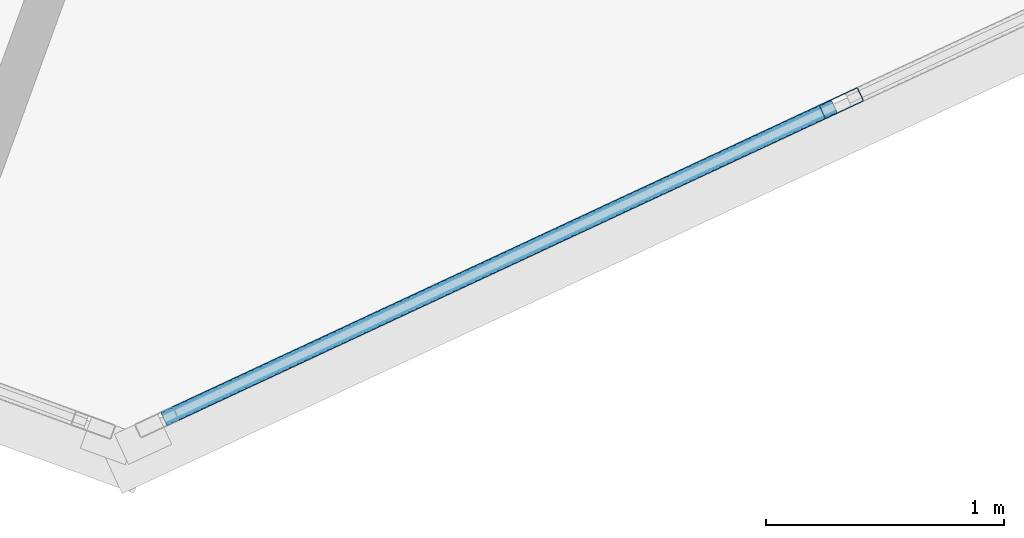
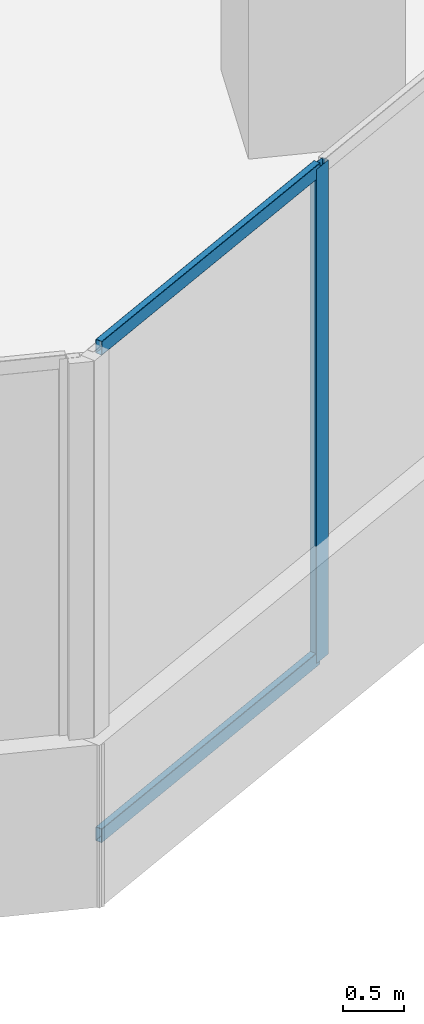
# One storey, part 5 of 21: 3 members, 1 element without a shape of its own.
"""IFC4 building model written with IfcOpenShell, lengths in metres."""

from ifc_helpers import new_model, si_unit, direction, frame, origin, origin_2d, place, context, subcontext, project, spatial, hollow_rectangle, extrude, source, transform, mapped, material, material_profile, profile_set, type_object, element, aggregate, save


model = new_model("IFC4")

# Units and contexts
model_context = context("Model", 3, precision=1e-05, world=origin(), true_north=direction((0.0, 1.0)))
body_context = subcontext(model_context, "Body", "Model", "MODEL_VIEW")
ifc_project = project(units=[si_unit("LENGTHUNIT", "METRE"), si_unit("AREAUNIT", "SQUARE_METRE"), si_unit("VOLUMEUNIT", "CUBIC_METRE"), si_unit("PLANEANGLEUNIT", "RADIAN"), si_unit("MASSUNIT", "GRAM", prefix="KILO")], contexts=[model_context])

# Site, building, storey
site_placement = place(None, origin())
site = spatial("IfcSite", under=ifc_project, at=site_placement, CompositionType="ELEMENT")
building_placement = place(site_placement, origin())
building = spatial("IfcBuilding", under=site, at=building_placement, Name="Torre Montelarca", CompositionType="ELEMENT")
storey_placement = place(building_placement, frame((0.0, 0.0, 127.60009765625)))
storey = spatial("IfcBuildingStorey", under=building, at=storey_placement, Name="L28", CompositionType="ELEMENT", Elevation=127.60009765625)

# Curtain wall, members
ifc_material_1 = material(Name="Insulated low-E laminated glass", Category="glass")
curtain_wall_type = type_object("IfcCurtainWallType", Name="CW-SYS-Z2", PredefinedType="USERDEFINED", material=ifc_material_1)
curtain_wall_placement = place(storey_placement, origin())
curtain_wall = element("IfcCurtainWall", 1, at=curtain_wall_placement, inside=storey, type_object=curtain_wall_type, Name="L28 Curtain Wall Run CW-T3-L28-E02-B1", ObjectType="UNITISED GLAZING", PredefinedType="USERDEFINED")
ifc_material_2 = material(Name="Anodised aluminium AA 6063-T6", Category="aluminium")
ifc_material_profile_1 = material_profile(ifc_material_2, hollow_rectangle(XDim=0.06494140625, YDim=0.139892578125, WallThickness=0.00390625, InnerFilletRadius=0.00390625, OuterFilletRadius=0.008056640625, at=origin_2d()), Name="ALU65X140X4", Category="aluminium")
ifc_profile_set_1 = profile_set([ifc_material_profile_1], Name="Anodised aluminium AA 6063-T6")
member_type_1 = type_object("IfcMemberType", Name="CWT-ALU140", PredefinedType="USERDEFINED", material=ifc_profile_set_1)
shared_shape_1 = source(origin(), body_context, "Body", "SweptSolid", [
    extrude(hollow_rectangle(XDim=0.06494140625, YDim=0.139892578125, WallThickness=0.00390625, InnerFilletRadius=0.00390625, OuterFilletRadius=0.008056640625, at=origin_2d()), origin(), (0.0, 0.0, 1.0), 3.102294921875),
])
member_1_placement = place(storey_placement, frame((25.672119140625, 11.385009765625, 0.032470703125), z_axis=(0.906321811417, 0.422588185058, 0.0), x_axis=(-0.422588185058, 0.906321811417, 0.0)))
member_1 = element("IfcMember", 2, at=member_1_placement, type_object=member_type_1, Name="CW transom 1.1", ObjectType="TRANSOM", PredefinedType="USERDEFINED", context=body_context, shape_type="MappedRepresentation", body=[
    mapped(shared_shape_1, transform((0.0, 0.0, 0.0), scale=1.0)),
])
member_2_placement = place(storey_placement, frame((25.672119140625, 11.385009765625, 4.887451171875), z_axis=(0.906321811417, 0.422588185058, 0.0), x_axis=(-0.422588185058, 0.906321811417, 0.0)))
member_2 = element("IfcMember", 3, at=member_2_placement, type_object=member_type_1, Name="CW transom 1.2", ObjectType="TRANSOM", PredefinedType="USERDEFINED", context=body_context, shape_type="MappedRepresentation", body=[
    mapped(shared_shape_1, transform((0.0, 0.0, 0.0), scale=1.0)),
])
ifc_material_profile_2 = material_profile(ifc_material_2, hollow_rectangle(XDim=0.06494140625, YDim=0.179931640625, WallThickness=0.00390625, InnerFilletRadius=0.00390625, OuterFilletRadius=0.008056640625, at=origin_2d()), Name="ALU65X180X4", Category="aluminium")
ifc_profile_set_2 = profile_set([ifc_material_profile_2], Name="Anodised aluminium AA 6063-T6")
member_type_2 = type_object("IfcMemberType", Name="CWM-ALU180", PredefinedType="MULLION", material=ifc_profile_set_2)
shared_shape_2 = source(origin(), body_context, "Body", "SweptSolid", [
    extrude(hollow_rectangle(XDim=0.06494140625, YDim=0.179931640625, WallThickness=0.00390625, InnerFilletRadius=0.00390625, OuterFilletRadius=0.008056640625, at=origin_2d()), origin(), (0.0, 0.0, 1.0), 4.919921875),
])
member_3_placement = place(storey_placement, frame((28.513427734375, 12.7099609375, 0.0), z_axis=(0.0, 0.0, 1.0), x_axis=(-0.42258947224, 0.906321211244, 0.0)))
member_3 = element("IfcMember", 4, at=member_3_placement, type_object=member_type_2, Name="CW mullion 2", PredefinedType="MULLION", context=body_context, shape_type="MappedRepresentation", body=[
    mapped(shared_shape_2, transform((0.0, 0.0, 0.0), scale=1.0)),
])
aggregate(curtain_wall, [member_3, member_1, member_2])

save(model, "model.ifc")
